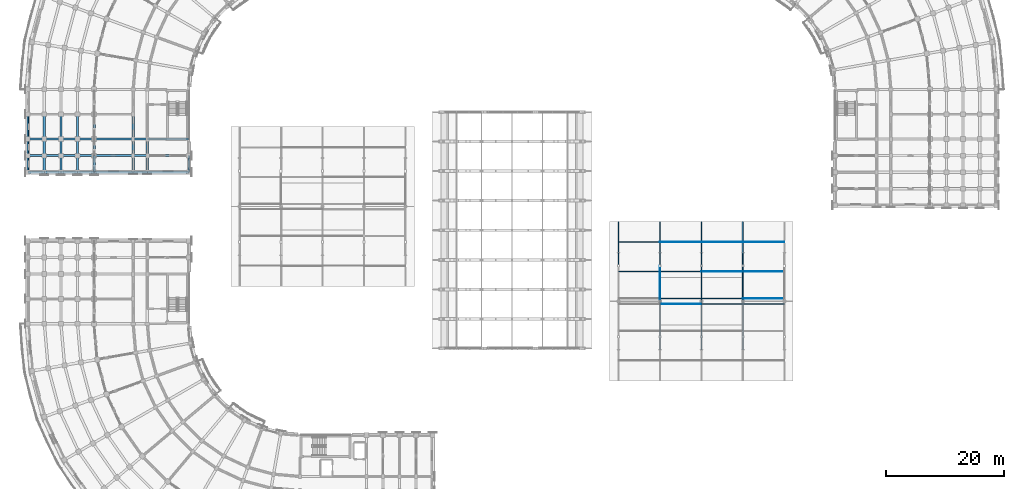
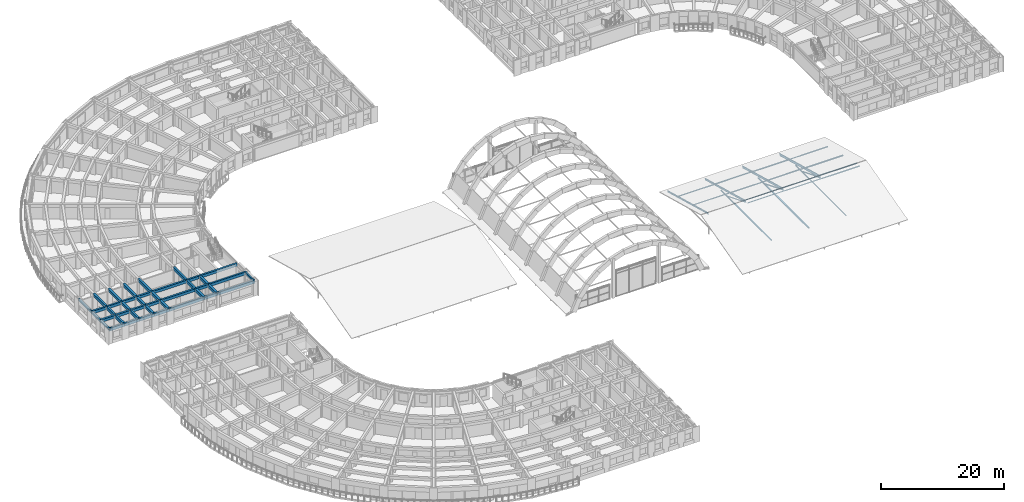
# One storey, part 16 of 76: 46 beams, 20 members.
"""IFC4 building model written with IfcOpenShell, lengths in metres."""

from ifc_helpers import new_model, si_unit, direction, frame, origin, origin_2d, place, context, subcontext, project, spatial, rectangle, hollow_rectangle, hollow_circle, i_section, extrude, material, material_profile, profile_set, type_object, element, save


model = new_model("IFC4")

# Units and contexts
model_context = context("Model", 3, precision=1e-05, world=origin(), true_north=direction((0.0, 1.0)))
body_context = subcontext(model_context, "Body", "Model", "MODEL_VIEW")
ifc_project = project(units=[si_unit("LENGTHUNIT", "METRE"), si_unit("AREAUNIT", "SQUARE_METRE"), si_unit("VOLUMEUNIT", "CUBIC_METRE"), si_unit("PLANEANGLEUNIT", "RADIAN"), si_unit("MASSUNIT", "GRAM", prefix="KILO")], contexts=[model_context])

# Site, building, storey
site_placement = place(None, origin())
site = spatial("IfcSite", under=ifc_project, at=site_placement, CompositionType="ELEMENT")
building_placement = place(site_placement, origin())
building = spatial("IfcBuilding", under=site, at=building_placement, Name="Kiranvali Square Residences", CompositionType="ELEMENT")
storey_placement = place(building_placement, frame((0.0, 0.0, 8.699951171875)))
storey = spatial("IfcBuildingStorey", under=building, at=storey_placement, Name="L02", CompositionType="ELEMENT", Elevation=8.699951171875)

# Beams
ifc_material_1 = material(Name="Concrete M40 (40 MPa)", Category="concrete")
ifc_material_profile_1 = material_profile(ifc_material_1, rectangle(XDim=0.35009765625, YDim=0.550048828125, at=origin_2d()), Name="RC 350x550")
ifc_profile_set_1 = profile_set([ifc_material_profile_1], Name="Concrete M40 (40 MPa)")
beam_type_1 = type_object("IfcBeamType", Name="BM-M40-350x550", PredefinedType="BEAM", material=ifc_profile_set_1)
beam_1_placement = place(storey_placement, frame((29.39990234375, 79.39990234375, 2.655029296875), z_axis=(-1.0, 0.0, 0.0), x_axis=(0.0, -1.0, 0.0)))
element("IfcBeam", 1, at=beam_1_placement, inside=storey, type_object=beam_type_1, Name="L02 beam BM-A-L02-A2T1-01", PredefinedType="BEAM", context=body_context, shape_type="SweptSolid", body=[
    extrude(rectangle(XDim=0.35009765625, YDim=0.550048828125, at=origin_2d()), origin(), (0.0, 0.0, 1.0), 7.0),
])
beam_2_placement = place(storey_placement, frame((22.39990234375, 79.39990234375, 2.655029296875), z_axis=(-1.0, 0.0, 0.0), x_axis=(0.0, -1.0, 0.0)))
element("IfcBeam", 2, at=beam_2_placement, inside=storey, type_object=beam_type_1, Name="L02 beam BM-A-L02-A2T1-12", PredefinedType="BEAM", context=body_context, shape_type="SweptSolid", body=[
    extrude(rectangle(XDim=0.35009765625, YDim=0.550048828125, at=origin_2d()), origin(), (0.0, 0.0, 1.0), 2.39990234375),
])
beam_3_placement = place(storey_placement, frame((20.0, 79.39990234375, 2.655029296875), z_axis=(-1.0, 0.0, 0.0), x_axis=(0.0, -1.0, 0.0)))
element("IfcBeam", 3, at=beam_3_placement, inside=storey, type_object=beam_type_1, Name="L02 beam BM-A-L02-A2T1-23", PredefinedType="BEAM", context=body_context, shape_type="SweptSolid", body=[
    extrude(rectangle(XDim=0.35009765625, YDim=0.550048828125, at=origin_2d()), origin(), (0.0, 0.0, 1.0), 6.60009765625),
])
beam_4_placement = place(storey_placement, frame((13.39990234375, 79.39990234375, 2.655029296875), z_axis=(-1.0, 0.0, 0.0), x_axis=(0.0, -1.0, 0.0)))
element("IfcBeam", 4, at=beam_4_placement, inside=storey, type_object=beam_type_1, Name="L02 beam BM-A-L02-A2T1-34", PredefinedType="BEAM", context=body_context, shape_type="SweptSolid", body=[
    extrude(rectangle(XDim=0.35009765625, YDim=0.550048828125, at=origin_2d()), origin(), (0.0, 0.0, 1.0), 2.7998046875),
])
for number, where, z_axis, x_axis, name in (
    (5, (10.60009765625, 79.39990234375, 2.655029296875), (-1.0, 0.0, 0.0), (0.0, -1.0, 0.0), "L02 beam BM-A-L02-A2T1-45"),
    (6, (7.800048828125, 79.39990234375, 2.655029296875), (-1.0, 0.0, 0.0), (0.0, -1.0, 0.0), "L02 beam BM-A-L02-A2T1-56"),
    (7, (5.0, 79.39990234375, 2.655029296875), (-1.0, 0.0, 0.0), (0.0, -1.0, 0.0), "L02 beam BM-A-L02-A2T1-67"),
):
    element("IfcBeam", number, at=place(storey_placement, frame(where, z_axis=z_axis, x_axis=x_axis)), inside=storey, type_object=beam_type_1, Name=name, PredefinedType="BEAM", context=body_context, shape_type="SweptSolid", body=[
        extrude(rectangle(XDim=0.35009765625, YDim=0.550048828125, at=origin_2d()), origin(), (0.0, 0.0, 1.0), 2.800048828125),
    ])
beam_5_placement = place(storey_placement, frame((29.39990234375, 76.60009765625, 2.655029296875), z_axis=(-1.0, 0.0, 0.0), x_axis=(0.0, -1.0, 0.0)))
element("IfcBeam", 8, at=beam_5_placement, inside=storey, type_object=beam_type_1, Name="L02 beam BM-A-L02-A2T2-01", PredefinedType="BEAM", context=body_context, shape_type="SweptSolid", body=[
    extrude(rectangle(XDim=0.35009765625, YDim=0.550048828125, at=origin_2d()), origin(), (0.0, 0.0, 1.0), 7.0),
])
beam_6_placement = place(storey_placement, frame((22.39990234375, 76.60009765625, 2.655029296875), z_axis=(-1.0, 0.0, 0.0), x_axis=(0.0, -1.0, 0.0)))
element("IfcBeam", 9, at=beam_6_placement, inside=storey, type_object=beam_type_1, Name="L02 beam BM-A-L02-A2T2-12", PredefinedType="BEAM", context=body_context, shape_type="SweptSolid", body=[
    extrude(rectangle(XDim=0.35009765625, YDim=0.550048828125, at=origin_2d()), origin(), (0.0, 0.0, 1.0), 2.39990234375),
])
beam_7_placement = place(storey_placement, frame((20.0, 76.60009765625, 2.655029296875), z_axis=(-1.0, 0.0, 0.0), x_axis=(0.0, -1.0, 0.0)))
element("IfcBeam", 10, at=beam_7_placement, inside=storey, type_object=beam_type_1, Name="L02 beam BM-A-L02-A2T2-23", PredefinedType="BEAM", context=body_context, shape_type="SweptSolid", body=[
    extrude(rectangle(XDim=0.35009765625, YDim=0.550048828125, at=origin_2d()), origin(), (0.0, 0.0, 1.0), 6.60009765625),
])
beam_8_placement = place(storey_placement, frame((13.39990234375, 76.60009765625, 2.655029296875), z_axis=(-1.0, 0.0, 0.0), x_axis=(0.0, -1.0, 0.0)))
element("IfcBeam", 11, at=beam_8_placement, inside=storey, type_object=beam_type_1, Name="L02 beam BM-A-L02-A2T2-34", PredefinedType="BEAM", context=body_context, shape_type="SweptSolid", body=[
    extrude(rectangle(XDim=0.35009765625, YDim=0.550048828125, at=origin_2d()), origin(), (0.0, 0.0, 1.0), 2.7998046875),
])
for number, where, z_axis, x_axis, name in (
    (12, (10.60009765625, 76.60009765625, 2.655029296875), (-1.0, 0.0, 0.0), (0.0, -1.0, 0.0), "L02 beam BM-A-L02-A2T2-45"),
    (13, (7.800048828125, 76.60009765625, 2.655029296875), (-1.0, 0.0, 0.0), (0.0, -1.0, 0.0), "L02 beam BM-A-L02-A2T2-56"),
    (14, (5.0, 76.60009765625, 2.655029296875), (-1.0, 0.0, 0.0), (0.0, -1.0, 0.0), "L02 beam BM-A-L02-A2T2-67"),
):
    element("IfcBeam", number, at=place(storey_placement, frame(where, z_axis=z_axis, x_axis=x_axis)), inside=storey, type_object=beam_type_1, Name=name, PredefinedType="BEAM", context=body_context, shape_type="SweptSolid", body=[
        extrude(rectangle(XDim=0.35009765625, YDim=0.550048828125, at=origin_2d()), origin(), (0.0, 0.0, 1.0), 2.800048828125),
    ])
beam_9_placement = place(storey_placement, frame((29.39990234375, 73.800048828125, 2.655029296875), z_axis=(-1.0, 0.0, 0.0), x_axis=(0.0, -1.0, 0.0)))
element("IfcBeam", 15, at=beam_9_placement, inside=storey, type_object=beam_type_1, Name="L02 beam BM-A-L02-A2T3-01", PredefinedType="BEAM", context=body_context, shape_type="SweptSolid", body=[
    extrude(rectangle(XDim=0.35009765625, YDim=0.550048828125, at=origin_2d()), origin(), (0.0, 0.0, 1.0), 7.0),
])
beam_10_placement = place(storey_placement, frame((22.39990234375, 73.800048828125, 2.655029296875), z_axis=(-1.0, 0.0, 0.0), x_axis=(0.0, -1.0, 0.0)))
element("IfcBeam", 16, at=beam_10_placement, inside=storey, type_object=beam_type_1, Name="L02 beam BM-A-L02-A2T3-12", PredefinedType="BEAM", context=body_context, shape_type="SweptSolid", body=[
    extrude(rectangle(XDim=0.35009765625, YDim=0.550048828125, at=origin_2d()), origin(), (0.0, 0.0, 1.0), 2.39990234375),
])
beam_11_placement = place(storey_placement, frame((20.0, 73.800048828125, 2.655029296875), z_axis=(-1.0, 0.0, 0.0), x_axis=(0.0, -1.0, 0.0)))
element("IfcBeam", 17, at=beam_11_placement, inside=storey, type_object=beam_type_1, Name="L02 beam BM-A-L02-A2T3-23", PredefinedType="BEAM", context=body_context, shape_type="SweptSolid", body=[
    extrude(rectangle(XDim=0.35009765625, YDim=0.550048828125, at=origin_2d()), origin(), (0.0, 0.0, 1.0), 6.60009765625),
])
beam_12_placement = place(storey_placement, frame((13.39990234375, 73.800048828125, 2.655029296875), z_axis=(-1.0, 0.0, 0.0), x_axis=(0.0, -1.0, 0.0)))
element("IfcBeam", 18, at=beam_12_placement, inside=storey, type_object=beam_type_1, Name="L02 beam BM-A-L02-A2T3-34", PredefinedType="BEAM", context=body_context, shape_type="SweptSolid", body=[
    extrude(rectangle(XDim=0.35009765625, YDim=0.550048828125, at=origin_2d()), origin(), (0.0, 0.0, 1.0), 2.7998046875),
])
for number, where, z_axis, x_axis, name in (
    (19, (10.60009765625, 73.800048828125, 2.655029296875), (-1.0, 0.0, 0.0), (0.0, -1.0, 0.0), "L02 beam BM-A-L02-A2T3-45"),
    (20, (7.800048828125, 73.800048828125, 2.655029296875), (-1.0, 0.0, 0.0), (0.0, -1.0, 0.0), "L02 beam BM-A-L02-A2T3-56"),
    (21, (5.0, 73.800048828125, 2.655029296875), (-1.0, 0.0, 0.0), (0.0, -1.0, 0.0), "L02 beam BM-A-L02-A2T3-67"),
):
    element("IfcBeam", number, at=place(storey_placement, frame(where, z_axis=z_axis, x_axis=x_axis)), inside=storey, type_object=beam_type_1, Name=name, PredefinedType="BEAM", context=body_context, shape_type="SweptSolid", body=[
        extrude(rectangle(XDim=0.35009765625, YDim=0.550048828125, at=origin_2d()), origin(), (0.0, 0.0, 1.0), 2.800048828125),
    ])
ifc_material_2 = material(Name="Concrete M45 (45 MPa)", Category="concrete")
ifc_material_profile_2 = material_profile(ifc_material_2, rectangle(XDim=0.39990234375, YDim=0.550048828125, at=origin_2d()), Name="RC 400x550")
ifc_profile_set_2 = profile_set([ifc_material_profile_2], Name="Concrete M45 (45 MPa)")
beam_type_2 = type_object("IfcBeamType", Name="BM-M45-400x550", PredefinedType="BEAM", material=ifc_profile_set_2)
beam_13_placement = place(storey_placement, frame((22.39990234375, 79.39990234375, 2.655029296875), z_axis=(0.0, -1.0, 0.0), x_axis=(1.0, 0.0, 0.0)))
element("IfcBeam", 22, at=beam_13_placement, inside=storey, type_object=beam_type_2, Name="L02 beam BM-A-L02-A2V1-R1", PredefinedType="BEAM", context=body_context, shape_type="SweptSolid", body=[
    extrude(rectangle(XDim=0.39990234375, YDim=0.550048828125, at=origin_2d()), origin(), (0.0, 0.0, 1.0), 2.7998046875),
])
beam_14_placement = place(storey_placement, frame((22.39990234375, 76.60009765625, 2.655029296875), z_axis=(0.0, -1.0, 0.0), x_axis=(1.0, 0.0, 0.0)))
element("IfcBeam", 23, at=beam_14_placement, inside=storey, type_object=beam_type_2, Name="L02 beam BM-A-L02-A2V2-R1", PredefinedType="BEAM", context=body_context, shape_type="SweptSolid", body=[
    extrude(rectangle(XDim=0.39990234375, YDim=0.550048828125, at=origin_2d()), origin(), (0.0, 0.0, 1.0), 2.800048828125),
])
beam_15_placement = place(storey_placement, frame((20.0, 83.60009765625, 2.655029296875), z_axis=(0.0, -1.0, 0.0), x_axis=(1.0, 0.0, 0.0)))
element("IfcBeam", 24, at=beam_15_placement, inside=storey, type_object=beam_type_2, Name="L02 beam BM-A-L02-A2V1-R2", PredefinedType="BEAM", context=body_context, shape_type="SweptSolid", body=[
    extrude(rectangle(XDim=0.39990234375, YDim=0.550048828125, at=origin_2d()), origin(), (0.0, 0.0, 1.0), 4.2001953125),
])
beam_16_placement = place(storey_placement, frame((20.0, 79.39990234375, 2.655029296875), z_axis=(0.0, -1.0, 0.0), x_axis=(1.0, 0.0, 0.0)))
element("IfcBeam", 25, at=beam_16_placement, inside=storey, type_object=beam_type_2, Name="L02 beam BM-A-L02-A2V2-R2", PredefinedType="BEAM", context=body_context, shape_type="SweptSolid", body=[
    extrude(rectangle(XDim=0.39990234375, YDim=0.550048828125, at=origin_2d()), origin(), (0.0, 0.0, 1.0), 2.7998046875),
])
beam_17_placement = place(storey_placement, frame((20.0, 76.60009765625, 2.655029296875), z_axis=(0.0, -1.0, 0.0), x_axis=(1.0, 0.0, 0.0)))
element("IfcBeam", 26, at=beam_17_placement, inside=storey, type_object=beam_type_2, Name="L02 beam BM-A-L02-A2V3-R2", PredefinedType="BEAM", context=body_context, shape_type="SweptSolid", body=[
    extrude(rectangle(XDim=0.39990234375, YDim=0.550048828125, at=origin_2d()), origin(), (0.0, 0.0, 1.0), 2.800048828125),
])
beam_18_placement = place(storey_placement, frame((13.39990234375, 83.60009765625, 2.655029296875), z_axis=(0.0, -1.0, 0.0), x_axis=(1.0, 0.0, 0.0)))
element("IfcBeam", 27, at=beam_18_placement, inside=storey, type_object=beam_type_2, Name="L02 beam BM-A-L02-A2V1-R3", PredefinedType="BEAM", context=body_context, shape_type="SweptSolid", body=[
    extrude(rectangle(XDim=0.39990234375, YDim=0.550048828125, at=origin_2d()), origin(), (0.0, 0.0, 1.0), 4.2001953125),
])
beam_19_placement = place(storey_placement, frame((13.39990234375, 79.39990234375, 2.655029296875), z_axis=(0.0, -1.0, 0.0), x_axis=(1.0, 0.0, 0.0)))
element("IfcBeam", 28, at=beam_19_placement, inside=storey, type_object=beam_type_2, Name="L02 beam BM-A-L02-A2V2-R3", PredefinedType="BEAM", context=body_context, shape_type="SweptSolid", body=[
    extrude(rectangle(XDim=0.39990234375, YDim=0.550048828125, at=origin_2d()), origin(), (0.0, 0.0, 1.0), 2.7998046875),
])
beam_20_placement = place(storey_placement, frame((13.39990234375, 76.60009765625, 2.655029296875), z_axis=(0.0, -1.0, 0.0), x_axis=(1.0, 0.0, 0.0)))
element("IfcBeam", 29, at=beam_20_placement, inside=storey, type_object=beam_type_2, Name="L02 beam BM-A-L02-A2V3-R3", PredefinedType="BEAM", context=body_context, shape_type="SweptSolid", body=[
    extrude(rectangle(XDim=0.39990234375, YDim=0.550048828125, at=origin_2d()), origin(), (0.0, 0.0, 1.0), 2.800048828125),
])
beam_21_placement = place(storey_placement, frame((10.60009765625, 83.60009765625, 2.655029296875), z_axis=(0.0, -1.0, 0.0), x_axis=(1.0, 0.0, 0.0)))
element("IfcBeam", 30, at=beam_21_placement, inside=storey, type_object=beam_type_2, Name="L02 beam BM-A-L02-A2V1-R4", PredefinedType="BEAM", context=body_context, shape_type="SweptSolid", body=[
    extrude(rectangle(XDim=0.39990234375, YDim=0.550048828125, at=origin_2d()), origin(), (0.0, 0.0, 1.0), 4.2001953125),
])
beam_22_placement = place(storey_placement, frame((10.60009765625, 79.39990234375, 2.655029296875), z_axis=(0.0, -1.0, 0.0), x_axis=(1.0, 0.0, 0.0)))
element("IfcBeam", 31, at=beam_22_placement, inside=storey, type_object=beam_type_2, Name="L02 beam BM-A-L02-A2V2-R4", PredefinedType="BEAM", context=body_context, shape_type="SweptSolid", body=[
    extrude(rectangle(XDim=0.39990234375, YDim=0.550048828125, at=origin_2d()), origin(), (0.0, 0.0, 1.0), 2.7998046875),
])
beam_23_placement = place(storey_placement, frame((10.60009765625, 76.60009765625, 2.655029296875), z_axis=(0.0, -1.0, 0.0), x_axis=(1.0, 0.0, 0.0)))
element("IfcBeam", 32, at=beam_23_placement, inside=storey, type_object=beam_type_2, Name="L02 beam BM-A-L02-A2V3-R4", PredefinedType="BEAM", context=body_context, shape_type="SweptSolid", body=[
    extrude(rectangle(XDim=0.39990234375, YDim=0.550048828125, at=origin_2d()), origin(), (0.0, 0.0, 1.0), 2.800048828125),
])
beam_24_placement = place(storey_placement, frame((7.800048828125, 83.60009765625, 2.655029296875), z_axis=(0.0, -1.0, 0.0), x_axis=(1.0, 0.0, 0.0)))
element("IfcBeam", 33, at=beam_24_placement, inside=storey, type_object=beam_type_2, Name="L02 beam BM-A-L02-A2V1-R5", PredefinedType="BEAM", context=body_context, shape_type="SweptSolid", body=[
    extrude(rectangle(XDim=0.39990234375, YDim=0.550048828125, at=origin_2d()), origin(), (0.0, 0.0, 1.0), 4.2001953125),
])
beam_25_placement = place(storey_placement, frame((7.800048828125, 79.39990234375, 2.655029296875), z_axis=(0.0, -1.0, 0.0), x_axis=(1.0, 0.0, 0.0)))
element("IfcBeam", 34, at=beam_25_placement, inside=storey, type_object=beam_type_2, Name="L02 beam BM-A-L02-A2V2-R5", PredefinedType="BEAM", context=body_context, shape_type="SweptSolid", body=[
    extrude(rectangle(XDim=0.39990234375, YDim=0.550048828125, at=origin_2d()), origin(), (0.0, 0.0, 1.0), 2.7998046875),
])
beam_26_placement = place(storey_placement, frame((7.800048828125, 76.60009765625, 2.655029296875), z_axis=(0.0, -1.0, 0.0), x_axis=(1.0, 0.0, 0.0)))
element("IfcBeam", 35, at=beam_26_placement, inside=storey, type_object=beam_type_2, Name="L02 beam BM-A-L02-A2V3-R5", PredefinedType="BEAM", context=body_context, shape_type="SweptSolid", body=[
    extrude(rectangle(XDim=0.39990234375, YDim=0.550048828125, at=origin_2d()), origin(), (0.0, 0.0, 1.0), 2.800048828125),
])
beam_27_placement = place(storey_placement, frame((5.0, 83.60009765625, 2.655029296875), z_axis=(0.0, -1.0, 0.0), x_axis=(1.0, 0.0, 0.0)))
element("IfcBeam", 36, at=beam_27_placement, inside=storey, type_object=beam_type_2, Name="L02 beam BM-A-L02-A2V1-R6", PredefinedType="BEAM", context=body_context, shape_type="SweptSolid", body=[
    extrude(rectangle(XDim=0.39990234375, YDim=0.550048828125, at=origin_2d()), origin(), (0.0, 0.0, 1.0), 4.2001953125),
])
beam_28_placement = place(storey_placement, frame((5.0, 79.39990234375, 2.655029296875), z_axis=(0.0, -1.0, 0.0), x_axis=(1.0, 0.0, 0.0)))
element("IfcBeam", 37, at=beam_28_placement, inside=storey, type_object=beam_type_2, Name="L02 beam BM-A-L02-A2V2-R6", PredefinedType="BEAM", context=body_context, shape_type="SweptSolid", body=[
    extrude(rectangle(XDim=0.39990234375, YDim=0.550048828125, at=origin_2d()), origin(), (0.0, 0.0, 1.0), 2.7998046875),
])
beam_29_placement = place(storey_placement, frame((5.0, 76.60009765625, 2.655029296875), z_axis=(0.0, -1.0, 0.0), x_axis=(1.0, 0.0, 0.0)))
element("IfcBeam", 38, at=beam_29_placement, inside=storey, type_object=beam_type_2, Name="L02 beam BM-A-L02-A2V3-R6", PredefinedType="BEAM", context=body_context, shape_type="SweptSolid", body=[
    extrude(rectangle(XDim=0.39990234375, YDim=0.550048828125, at=origin_2d()), origin(), (0.0, 0.0, 1.0), 2.800048828125),
])

# Members
ifc_material_3 = material(Name="Structural steel E350", Category="steel")
ifc_material_profile_3 = material_profile(ifc_material_3, hollow_circle(Radius=0.06982421875, WallThickness=0.00537109375, at=origin_2d()), Name="CHS 139.7x5.4")
ifc_profile_set_3 = profile_set([ifc_material_profile_3], Name="Structural steel E350")
member_type_1 = type_object("IfcMemberType", Name="MEM-CHS139", PredefinedType="BRACE", material=ifc_profile_set_3)
member_1_placement = place(storey_placement, frame((116.0, 58.0, 1.244140625), z_axis=(0.0, -0.92918908644, 0.369604709982), x_axis=(1.0, 0.0, 0.0)))
element("IfcMember", 39, at=member_1_placement, inside=storey, type_object=member_type_1, Name="Southeast Square Retail Pavilion roof truss diagonal brace 3B", PredefinedType="BRACE", context=body_context, shape_type="SweptSolid", body=[
    extrude(hollow_circle(Radius=0.06982421875, WallThickness=0.00537109375, at=origin_2d()), origin(), (0.0, 0.0, 1.0), 6.177490234375),
])
ifc_material_profile_4 = material_profile(ifc_material_3, hollow_circle(Radius=0.096923828125, WallThickness=0.006103515625, at=origin_2d()), Name="CHS 193.7x6.0")
ifc_profile_set_4 = profile_set([ifc_material_profile_4], Name="Structural steel E350")
member_type_2 = type_object("IfcMemberType", Name="MEM-CHS193", PredefinedType="CHORD", material=ifc_profile_set_4)
member_2_placement = place(storey_placement, frame((123.0, 43.800048828125, 1.10009765625), z_axis=(0.0, 1.0, 0.0), x_axis=(-1.0, 0.0, 0.0)))
element("IfcMember", 40, at=member_2_placement, inside=storey, type_object=member_type_2, Name="Southeast Square Retail Pavilion roof truss collar chord 4", PredefinedType="CHORD", context=body_context, shape_type="SweptSolid", body=[
    extrude(hollow_circle(Radius=0.096923828125, WallThickness=0.006103515625, at=origin_2d()), origin(), (0.0, 0.0, 1.0), 16.39990234375),
])
ifc_material_profile_5 = material_profile(ifc_material_3, hollow_circle(Radius=0.04443359375, WallThickness=0.0048828125, at=origin_2d()), Name="CHS 88.9x4.8")
ifc_profile_set_5 = profile_set([ifc_material_profile_5], Name="Structural steel E350")
member_type_3 = type_object("IfcMemberType", Name="MEM-CHS88", PredefinedType="BRACE", material=ifc_profile_set_5)
member_3_placement = place(storey_placement, frame((109.0, 58.0, 1.22412109375), z_axis=(0.0, -0.926677314824, 0.375857890952), x_axis=(1.0, 0.0, 0.0)))
element("IfcMember", 41, at=member_3_placement, inside=storey, type_object=member_type_3, Name="Southeast Square Retail Pavilion roof truss diagonal brace 2B", PredefinedType="BRACE", context=body_context, shape_type="SweptSolid", body=[
    extrude(hollow_circle(Radius=0.04443359375, WallThickness=0.0048828125, at=origin_2d()), origin(), (0.0, 0.0, 1.0), 6.194091796875),
])
ifc_material_profile_6 = material_profile(ifc_material_3, i_section(OverallWidth=0.074951171875, OverallDepth=0.14990234375, WebThickness=0.0048828125, FlangeThickness=0.008056640625, at=origin_2d()), Name="ISMB 150")
ifc_profile_set_6 = profile_set([ifc_material_profile_6], Name="Structural steel E350")
member_type_4 = type_object("IfcMemberType", Name="MEM-ISMB150-P", PredefinedType="PURLIN", material=ifc_profile_set_6)
for number, where, z_axis, x_axis, name in (
    (42, (123.0, 52.449951171875, 3.811767578125), (1.0, 0.0, 0.0), (0.0, 1.0, 0.0), "Southeast Square Retail Pavilion roof purlin 4.4"),
    (43, (116.0, 57.0, 2.592529296875), (1.0, 0.0, 0.0), (0.0, 1.0, 0.0), "Southeast Square Retail Pavilion roof purlin 5.3"),
    (44, (109.0, 62.0, 1.2529296875), (1.0, 0.0, 0.0), (0.0, 1.0, 0.0), "Southeast Square Retail Pavilion roof purlin 6.2"),
):
    element("IfcMember", number, at=place(storey_placement, frame(where, z_axis=z_axis, x_axis=x_axis)), inside=storey, type_object=member_type_4, Name=name, PredefinedType="PURLIN", context=body_context, shape_type="SweptSolid", body=[
        extrude(i_section(OverallWidth=0.074951171875, OverallDepth=0.14990234375, WebThickness=0.0048828125, FlangeThickness=0.008056640625, at=origin_2d()), origin(), (0.0, 0.0, 1.0), 7.0),
    ])
ifc_material_profile_7 = material_profile(ifc_material_3, i_section(OverallWidth=0.0849609375, OverallDepth=0.175048828125, WebThickness=0.005859375, FlangeThickness=0.009033203125, at=origin_2d()), Name="ISMB 175")
ifc_profile_set_7 = profile_set([ifc_material_profile_7], Name="Structural steel E350")
member_type_5 = type_object("IfcMemberType", Name="MEM-ISMB175-P", PredefinedType="PURLIN", material=ifc_profile_set_7)
for number, where, z_axis, x_axis, name in (
    (45, (123.0, 57.0, 2.580078125), (1.0, 0.0, 0.0), (0.0, 1.0, 0.0), "Southeast Square Retail Pavilion roof purlin 5.4"),
    (46, (116.0, 62.0, 1.240478515625), (1.0, 0.0, 0.0), (0.0, 1.0, 0.0), "Southeast Square Retail Pavilion roof purlin 6.3"),
):
    element("IfcMember", number, at=place(storey_placement, frame(where, z_axis=z_axis, x_axis=x_axis)), inside=storey, type_object=member_type_5, Name=name, PredefinedType="PURLIN", context=body_context, shape_type="SweptSolid", body=[
        extrude(i_section(OverallWidth=0.0849609375, OverallDepth=0.175048828125, WebThickness=0.005859375, FlangeThickness=0.009033203125, at=origin_2d()), origin(), (0.0, 0.0, 1.0), 7.0),
    ])
ifc_material_profile_8 = material_profile(ifc_material_3, hollow_rectangle(XDim=0.06103515625, YDim=0.1220703125, WallThickness=0.00439453125, at=origin_2d()), Name="RHS 122x61x4.5")
ifc_profile_set_8 = profile_set([ifc_material_profile_8], Name="Structural steel E350")
member_type_6 = type_object("IfcMemberType", Name="MEM-RHS122", PredefinedType="PURLIN", material=ifc_profile_set_8)
member_4_placement = place(storey_placement, frame((123.0, 62.0, 1.266845703125), z_axis=(1.0, 0.0, 0.0), x_axis=(0.0, 1.0, 0.0)))
element("IfcMember", 47, at=member_4_placement, inside=storey, type_object=member_type_6, Name="Southeast Square Retail Pavilion roof purlin 6.4", PredefinedType="PURLIN", context=body_context, shape_type="SweptSolid", body=[
    extrude(hollow_rectangle(XDim=0.06103515625, YDim=0.1220703125, WallThickness=0.00439453125, at=origin_2d()), origin(), (0.0, 0.0, 1.0), 7.0),
])
ifc_material_profile_9 = material_profile(ifc_material_3, hollow_rectangle(XDim=0.08203125, YDim=0.14501953125, WallThickness=0.00537109375, at=origin_2d()), Name="RHS 145x82x5.4")
ifc_profile_set_9 = profile_set([ifc_material_profile_9], Name="Structural steel E350")
member_type_7 = type_object("IfcMemberType", Name="MEM-RHS145", PredefinedType="PURLIN", material=ifc_profile_set_9)
member_5_placement = place(storey_placement, frame((109.0, 51.550048828125, 3.814208984375), z_axis=(1.0, 0.0, 0.0), x_axis=(0.0, 1.0, 0.0)))
element("IfcMember", 48, at=member_5_placement, inside=storey, type_object=member_type_7, Name="Southeast Square Retail Pavilion roof purlin 3.2", PredefinedType="PURLIN", context=body_context, shape_type="SweptSolid", body=[
    extrude(hollow_rectangle(XDim=0.08203125, YDim=0.14501953125, WallThickness=0.00537109375, at=origin_2d()), origin(), (0.0, 0.0, 1.0), 7.0),
])
ifc_material_profile_10 = material_profile(ifc_material_3, hollow_rectangle(XDim=0.092041015625, YDim=0.172119140625, WallThickness=0.00537109375, at=origin_2d()), Name="RHS 172x92x5.4")
ifc_profile_set_10 = profile_set([ifc_material_profile_10], Name="Structural steel E350")
member_type_8 = type_object("IfcMemberType", Name="MEM-RHS172", PredefinedType="PURLIN", material=ifc_profile_set_10)
for number, where, z_axis, x_axis, name in (
    (49, (116.0, 51.550048828125, 3.80078125), (1.0, 0.0, 0.0), (0.0, 1.0, 0.0), "Southeast Square Retail Pavilion roof purlin 3.3"),
    (50, (109.0, 52.449951171875, 3.80078125), (1.0, 0.0, 0.0), (0.0, 1.0, 0.0), "Southeast Square Retail Pavilion roof purlin 4.2"),
    (51, (102.0, 57.0, 2.58154296875), (1.0, 0.0, 0.0), (0.0, 1.0, 0.0), "Southeast Square Retail Pavilion roof purlin 5.1"),
):
    element("IfcMember", number, at=place(storey_placement, frame(where, z_axis=z_axis, x_axis=x_axis)), inside=storey, type_object=member_type_8, Name=name, PredefinedType="PURLIN", context=body_context, shape_type="SweptSolid", body=[
        extrude(hollow_rectangle(XDim=0.092041015625, YDim=0.172119140625, WallThickness=0.00537109375, at=origin_2d()), origin(), (0.0, 0.0, 1.0), 7.0),
    ])
ifc_material_profile_11 = material_profile(ifc_material_3, hollow_rectangle(XDim=0.10009765625, YDim=0.199951171875, WallThickness=0.006103515625, at=origin_2d()), Name="RHS 200x100x6.0")
ifc_profile_set_11 = profile_set([ifc_material_profile_11], Name="Structural steel E350")
member_type_9 = type_object("IfcMemberType", Name="MEM-RHS200", PredefinedType="PURLIN", material=ifc_profile_set_11)
for number, where, z_axis, x_axis, name in (
    (52, (123.0, 51.550048828125, 3.786865234375), (1.0, 0.0, 0.0), (0.0, 1.0, 0.0), "Southeast Square Retail Pavilion roof purlin 3.4"),
    (53, (116.0, 52.449951171875, 3.786865234375), (1.0, 0.0, 0.0), (0.0, 1.0, 0.0), "Southeast Square Retail Pavilion roof purlin 4.3"),
    (54, (109.0, 57.0, 2.567626953125), (1.0, 0.0, 0.0), (0.0, 1.0, 0.0), "Southeast Square Retail Pavilion roof purlin 5.2"),
    (55, (102.0, 62.0, 1.227783203125), (1.0, 0.0, 0.0), (0.0, 1.0, 0.0), "Southeast Square Retail Pavilion roof purlin 6.1"),
):
    element("IfcMember", number, at=place(storey_placement, frame(where, z_axis=z_axis, x_axis=x_axis)), inside=storey, type_object=member_type_9, Name=name, PredefinedType="PURLIN", context=body_context, shape_type="SweptSolid", body=[
        extrude(hollow_rectangle(XDim=0.10009765625, YDim=0.199951171875, WallThickness=0.006103515625, at=origin_2d()), origin(), (0.0, 0.0, 1.0), 7.0),
    ])
ifc_material_profile_12 = material_profile(ifc_material_3, hollow_rectangle(XDim=0.113525390625, YDim=0.113525390625, WallThickness=0.00537109375, at=origin_2d()), Name="SHS 113.5x113.5x5.4")
ifc_profile_set_12 = profile_set([ifc_material_profile_12], Name="Structural steel E350")
member_type_10 = type_object("IfcMemberType", Name="MEM-SHS113", PredefinedType="BRACE", material=ifc_profile_set_12)
member_6_placement = place(storey_placement, frame((123.0, 58.0, 1.23095703125), z_axis=(0.0, -0.929839599098, 0.367965106972), x_axis=(1.0, 0.0, 0.0)))
element("IfcMember", 56, at=member_6_placement, inside=storey, type_object=member_type_10, Name="Southeast Square Retail Pavilion roof truss diagonal brace 4B", PredefinedType="BRACE", context=body_context, shape_type="SweptSolid", body=[
    extrude(hollow_rectangle(XDim=0.113525390625, YDim=0.113525390625, WallThickness=0.00537109375, at=origin_2d()), origin(), (0.0, 0.0, 1.0), 6.173095703125),
])
ifc_material_profile_13 = material_profile(ifc_material_3, hollow_rectangle(XDim=0.179931640625, YDim=0.179931640625, WallThickness=0.008056640625, at=origin_2d()), Name="SHS 180x180x8.0")
ifc_profile_set_13 = profile_set([ifc_material_profile_13], Name="Structural steel E350")
member_type_11 = type_object("IfcMemberType", Name="MEM-SHS180", PredefinedType="CHORD", material=ifc_profile_set_13)
member_7_placement = place(storey_placement, frame((109.0, 43.800048828125, 1.10009765625), z_axis=(0.0, 1.0, 0.0), x_axis=(-1.0, 0.0, 0.0)))
element("IfcMember", 57, at=member_7_placement, inside=storey, type_object=member_type_11, Name="Southeast Square Retail Pavilion roof truss collar chord 2", PredefinedType="CHORD", context=body_context, shape_type="SweptSolid", body=[
    extrude(hollow_rectangle(XDim=0.179931640625, YDim=0.179931640625, WallThickness=0.008056640625, at=origin_2d()), origin(), (0.0, 0.0, 1.0), 16.39990234375),
])
ifc_material_profile_14 = material_profile(ifc_material_3, hollow_rectangle(XDim=0.219970703125, YDim=0.219970703125, WallThickness=0.008056640625, at=origin_2d()), Name="SHS 220x220x8.0")
ifc_profile_set_14 = profile_set([ifc_material_profile_14], Name="Structural steel E350")
member_type_12 = type_object("IfcMemberType", Name="MEM-SHS220", PredefinedType="CHORD", material=ifc_profile_set_14)
member_8_placement = place(storey_placement, frame((116.0, 43.800048828125, 1.10009765625), z_axis=(0.0, 1.0, 0.0), x_axis=(-1.0, 0.0, 0.0)))
element("IfcMember", 58, at=member_8_placement, inside=storey, type_object=member_type_12, Name="Southeast Square Retail Pavilion roof truss collar chord 3", PredefinedType="CHORD", context=body_context, shape_type="SweptSolid", body=[
    extrude(hollow_rectangle(XDim=0.219970703125, YDim=0.219970703125, WallThickness=0.008056640625, at=origin_2d()), origin(), (0.0, 0.0, 1.0), 16.39990234375),
])

# Beams
ifc_material_profile_15 = material_profile(ifc_material_3, i_section(OverallWidth=0.139892578125, OverallDepth=0.300048828125, WebThickness=0.0078125, FlangeThickness=0.01318359375, at=origin_2d()), Name="ISMB 300")
ifc_profile_set_15 = profile_set([ifc_material_profile_15], Name="Structural steel E350")
beam_type_3 = type_object("IfcBeamType", Name="SBM-ISMB300", PredefinedType="BEAM", material=ifc_profile_set_15)
beam_30_placement = place(storey_placement, frame((102.0, 65.39990234375, 0.199951171875), z_axis=(0.0, -0.964943860611, 0.262456369459), x_axis=(1.0, 0.0, 0.0)))
element("IfcBeam", 59, at=beam_30_placement, inside=storey, type_object=beam_type_3, Name="Southeast Square Retail Pavilion steel roof rafter N-1", PredefinedType="BEAM", context=body_context, shape_type="SweptSolid", body=[
    extrude(i_section(OverallWidth=0.139892578125, OverallDepth=0.300048828125, WebThickness=0.0078125, FlangeThickness=0.01318359375, at=origin_2d()), origin(), (0.0, 0.0, 1.0), 13.782958984375),
])
ifc_material_profile_16 = material_profile(ifc_material_3, i_section(OverallWidth=0.139892578125, OverallDepth=0.35009765625, WebThickness=0.008056640625, FlangeThickness=0.01416015625, at=origin_2d()), Name="ISMB 350")
ifc_profile_set_16 = profile_set([ifc_material_profile_16], Name="Structural steel E350")
beam_type_4 = type_object("IfcBeamType", Name="SBM-ISMB350", PredefinedType="BEAM", material=ifc_profile_set_16)
beam_31_placement = place(storey_placement, frame((109.0, 65.39990234375, 0.175048828125), z_axis=(0.0, -0.964948346457, 0.262439876296), x_axis=(1.0, 0.0, 0.0)))
element("IfcBeam", 60, at=beam_31_placement, inside=storey, type_object=beam_type_4, Name="Southeast Square Retail Pavilion steel roof rafter N-2", PredefinedType="BEAM", context=body_context, shape_type="SweptSolid", body=[
    extrude(i_section(OverallWidth=0.139892578125, OverallDepth=0.35009765625, WebThickness=0.008056640625, FlangeThickness=0.01416015625, at=origin_2d()), origin(), (0.0, 0.0, 1.0), 13.782958984375),
])
ifc_material_profile_17 = material_profile(ifc_material_3, i_section(OverallWidth=0.139892578125, OverallDepth=0.39990234375, WebThickness=0.0087890625, FlangeThickness=0.01611328125, at=origin_2d()), Name="ISMB 400")
ifc_profile_set_17 = profile_set([ifc_material_profile_17], Name="Structural steel E350")
beam_type_5 = type_object("IfcBeamType", Name="SBM-ISMB400", PredefinedType="BEAM", material=ifc_profile_set_17)
beam_32_placement = place(storey_placement, frame((116.0, 65.39990234375, 0.150146484375), z_axis=(0.0, -0.964948346457, 0.262439876296), x_axis=(1.0, 0.0, 0.0)))
element("IfcBeam", 61, at=beam_32_placement, inside=storey, type_object=beam_type_5, Name="Southeast Square Retail Pavilion steel roof rafter N-3", PredefinedType="BEAM", context=body_context, shape_type="SweptSolid", body=[
    extrude(i_section(OverallWidth=0.139892578125, OverallDepth=0.39990234375, WebThickness=0.0087890625, FlangeThickness=0.01611328125, at=origin_2d()), origin(), (0.0, 0.0, 1.0), 13.782958984375),
])
ifc_material_profile_18 = material_profile(ifc_material_3, i_section(OverallWidth=0.14990234375, OverallDepth=0.449951171875, WebThickness=0.009521484375, FlangeThickness=0.017333984375, at=origin_2d()), Name="ISMB 450")
ifc_profile_set_18 = profile_set([ifc_material_profile_18], Name="Structural steel E350")
beam_type_6 = type_object("IfcBeamType", Name="SBM-ISMB450", PredefinedType="BEAM", material=ifc_profile_set_18)
beam_33_placement = place(storey_placement, frame((123.0, 65.39990234375, 0.125), z_axis=(0.0, -0.964943860611, 0.262456369459), x_axis=(1.0, 0.0, 0.0)))
element("IfcBeam", 62, at=beam_33_placement, inside=storey, type_object=beam_type_6, Name="Southeast Square Retail Pavilion steel roof rafter N-4", PredefinedType="BEAM", context=body_context, shape_type="SweptSolid", body=[
    extrude(i_section(OverallWidth=0.14990234375, OverallDepth=0.449951171875, WebThickness=0.009521484375, FlangeThickness=0.017333984375, at=origin_2d()), origin(), (0.0, 0.0, 1.0), 13.782958984375),
])
ifc_material_profile_19 = material_profile(ifc_material_1, rectangle(XDim=0.25, YDim=0.449951171875, at=origin_2d()), Name="RC 250x450")
ifc_profile_set_19 = profile_set([ifc_material_profile_19], Name="Concrete M40 (40 MPa)")
beam_type_7 = type_object("IfcBeamType", Name="SPN-M40-250x450", PredefinedType="SPANDREL", material=ifc_profile_set_19)
beam_34_placement = place(storey_placement, frame((29.39990234375, 76.60009765625, 2.705078125), z_axis=(0.0, -1.0, 0.0), x_axis=(1.0, 0.0, 0.0)))
element("IfcBeam", 63, at=beam_34_placement, inside=storey, type_object=beam_type_7, Name="L02 beam BM-A-L02-A2V2-R0", PredefinedType="SPANDREL", context=body_context, shape_type="SweptSolid", body=[
    extrude(rectangle(XDim=0.25, YDim=0.449951171875, at=origin_2d()), origin(), (0.0, 0.0, 1.0), 2.800048828125),
])
beam_35_placement = place(storey_placement, frame((2.199951171875, 83.60009765625, 2.705078125), z_axis=(0.0, -1.0, 0.0), x_axis=(1.0, 0.0, 0.0)))
element("IfcBeam", 64, at=beam_35_placement, inside=storey, type_object=beam_type_7, Name="L02 beam BM-A-L02-A2V1-R7", PredefinedType="SPANDREL", context=body_context, shape_type="SweptSolid", body=[
    extrude(rectangle(XDim=0.25, YDim=0.449951171875, at=origin_2d()), origin(), (0.0, 0.0, 1.0), 4.2001953125),
])
beam_36_placement = place(storey_placement, frame((2.199951171875, 79.39990234375, 2.705078125), z_axis=(0.0, -1.0, 0.0), x_axis=(1.0, 0.0, 0.0)))
element("IfcBeam", 65, at=beam_36_placement, inside=storey, type_object=beam_type_7, Name="L02 beam BM-A-L02-A2V2-R7", PredefinedType="SPANDREL", context=body_context, shape_type="SweptSolid", body=[
    extrude(rectangle(XDim=0.25, YDim=0.449951171875, at=origin_2d()), origin(), (0.0, 0.0, 1.0), 2.7998046875),
])
beam_37_placement = place(storey_placement, frame((2.199951171875, 76.60009765625, 2.705078125), z_axis=(0.0, -1.0, 0.0), x_axis=(1.0, 0.0, 0.0)))
element("IfcBeam", 66, at=beam_37_placement, inside=storey, type_object=beam_type_7, Name="L02 beam BM-A-L02-A2V3-R7", PredefinedType="SPANDREL", context=body_context, shape_type="SweptSolid", body=[
    extrude(rectangle(XDim=0.25, YDim=0.449951171875, at=origin_2d()), origin(), (0.0, 0.0, 1.0), 2.800048828125),
])

save(model, "model.ifc")
